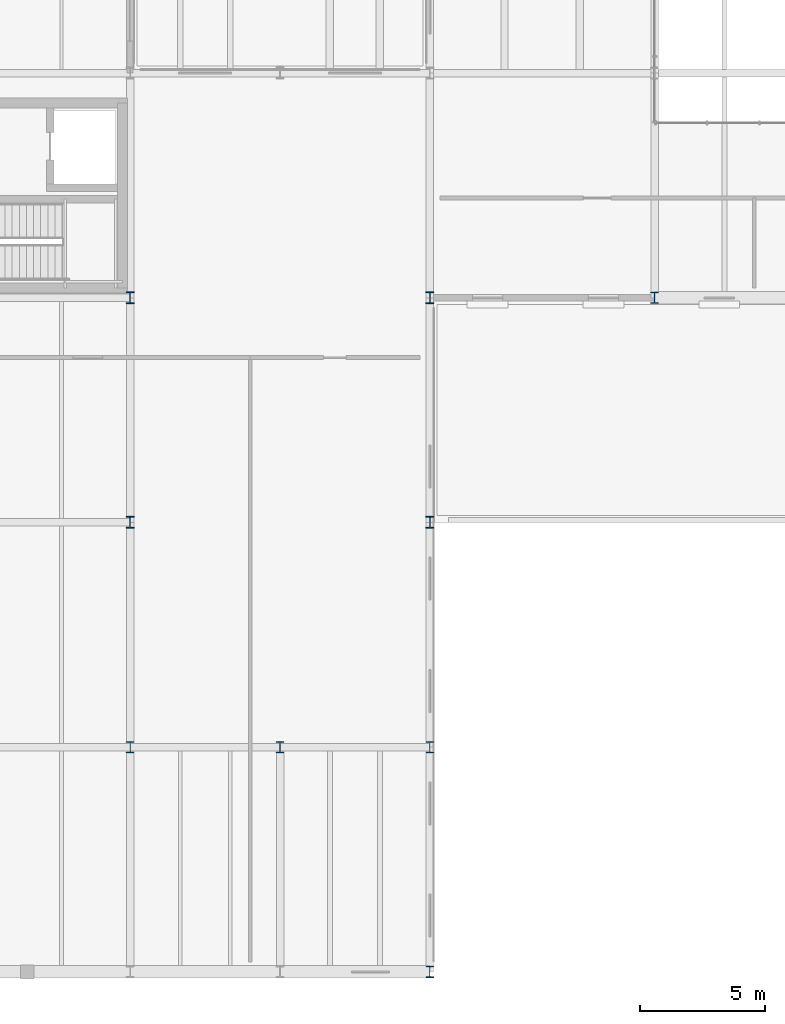
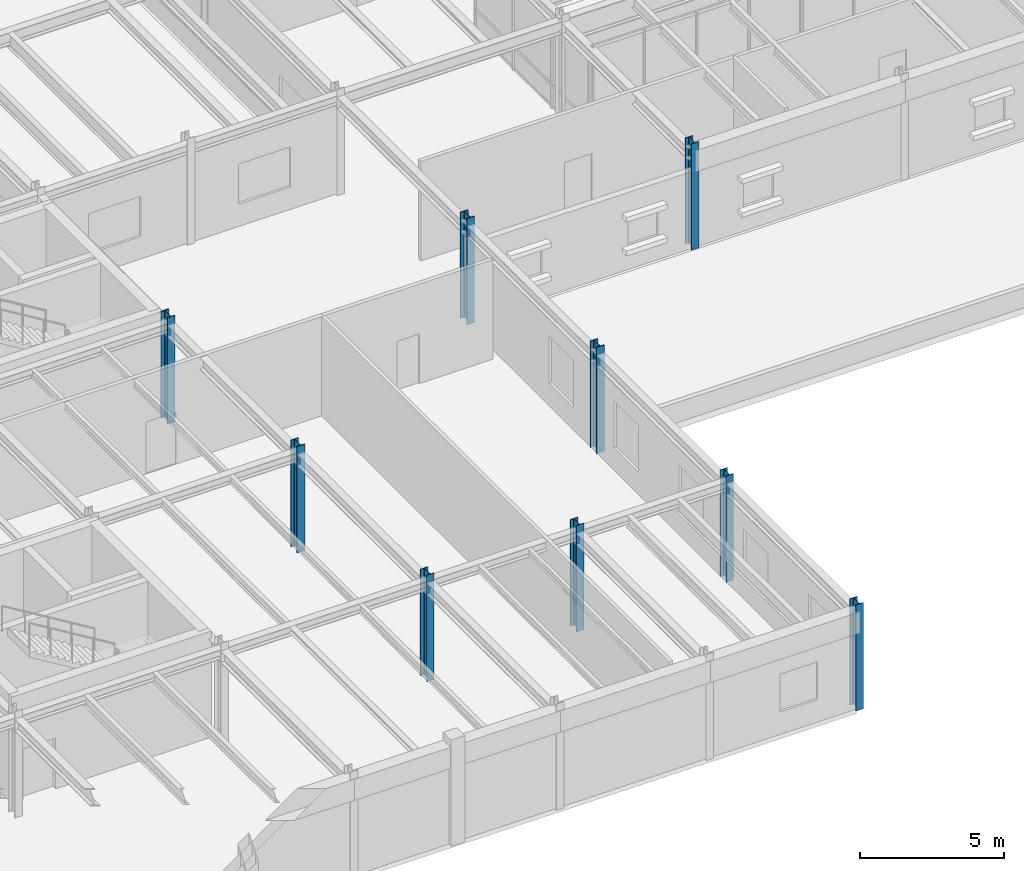
# One storey, part 5 of 64: 9 columns.
"""IFC4 building model written with IfcOpenShell, lengths in metres."""

from ifc_helpers import new_model, si_unit, direction, frame, origin, origin_2d, place, context, subcontext, project, spatial, i_section, extrude, material, material_profile, profile_set, type_object, element, save


model = new_model("IFC4")

# Units and contexts
model_context = context("Model", 3, precision=1e-05, world=origin(), true_north=direction((0.0, 1.0)))
body_context = subcontext(model_context, "Body", "Model", "MODEL_VIEW")
ifc_project = project(units=[si_unit("LENGTHUNIT", "METRE"), si_unit("AREAUNIT", "SQUARE_METRE"), si_unit("VOLUMEUNIT", "CUBIC_METRE"), si_unit("PLANEANGLEUNIT", "RADIAN"), si_unit("MASSUNIT", "GRAM", prefix="KILO")], contexts=[model_context])

# Site, building, storey
site_placement = place(None, origin())
site = spatial("IfcSite", under=ifc_project, at=site_placement, CompositionType="ELEMENT")
building_placement = place(site_placement, origin())
building = spatial("IfcBuilding", under=site, at=building_placement, Name="Montealbar Specialist Clinic", CompositionType="ELEMENT")
storey_placement = place(building_placement, frame((0.0, 0.0, 5.10009765625)))
storey = spatial("IfcBuildingStorey", under=building, at=storey_placement, Name="L01", CompositionType="ELEMENT", Elevation=5.10009765625)

# Columns
ifc_material = material(Name="Steel S355", Category="steel")
ifc_material_profile_1 = material_profile(ifc_material, i_section(OverallWidth=0.306884765625, OverallDepth=0.47802734375, WebThickness=0.02099609375, FlangeThickness=0.0400390625, FilletRadius=0.027099609375, at=origin_2d()), Name="HEM 450", Category="steel")
ifc_profile_set_1 = profile_set([ifc_material_profile_1], Name="Steel S355")
column_type_1 = type_object("IfcColumnType", Name="COL-S-L01-MEGA", PredefinedType="COLUMN", material=ifc_profile_set_1)
for number, where, z_axis, x_axis, name in (
    (1, (99.0, 18.0, 0.0), (0.0, 0.0, 1.0), (1.0, 0.0, 0.0), "Column 13/C L01"),
    (2, (99.0, 27.0, 0.0), (0.0, 0.0, 1.0), (1.0, 0.0, 0.0), "Column 13/D L01"),
):
    element("IfcColumn", number, at=place(storey_placement, frame(where, z_axis=z_axis, x_axis=x_axis)), inside=storey, type_object=column_type_1, Name=name, PredefinedType="COLUMN", context=body_context, shape_type="SweptSolid", body=[
        extrude(i_section(OverallWidth=0.306884765625, OverallDepth=0.47802734375, WebThickness=0.02099609375, FlangeThickness=0.0400390625, FilletRadius=0.027099609375, at=origin_2d()), origin(), (0.0, 0.0, 1.0), 4.5),
    ])
ifc_material_profile_2 = material_profile(ifc_material, i_section(OverallWidth=0.306884765625, OverallDepth=0.47802734375, WebThickness=0.02099609375, FlangeThickness=0.0400390625, FilletRadius=0.027099609375, at=origin_2d()), Name="HEM 450", Category="steel")
ifc_profile_set_2 = profile_set([ifc_material_profile_2], Name="Steel S355")
column_type_2 = type_object("IfcColumnType", Name="COL-S-L01-MEGA-EXT", PredefinedType="COLUMN", material=ifc_profile_set_2)
for number, where, z_axis, x_axis, name in (
    (3, (111.0, 18.0, 0.0), (0.0, 0.0, 1.0), (1.0, 0.0, 0.0), "Column 15/C L01"),
    (4, (111.0, 27.0, 0.0), (0.0, 0.0, 1.0), (1.0, 0.0, 0.0), "Column 15/D L01"),
):
    element("IfcColumn", number, at=place(storey_placement, frame(where, z_axis=z_axis, x_axis=x_axis)), inside=storey, type_object=column_type_2, Name=name, PredefinedType="COLUMN", context=body_context, shape_type="SweptSolid", body=[
        extrude(i_section(OverallWidth=0.306884765625, OverallDepth=0.47802734375, WebThickness=0.02099609375, FlangeThickness=0.0400390625, FilletRadius=0.027099609375, at=origin_2d()), origin(), (0.0, 0.0, 1.0), 4.5),
    ])
ifc_material_profile_3 = material_profile(ifc_material, i_section(OverallWidth=0.300048828125, OverallDepth=0.449951171875, WebThickness=0.013916015625, FlangeThickness=0.02587890625, FilletRadius=0.027099609375, at=origin_2d()), Name="HEB 450", Category="steel")
ifc_profile_set_3 = profile_set([ifc_material_profile_3], Name="Steel S355")
column_type_3 = type_object("IfcColumnType", Name="COL-S-L01-STD", PredefinedType="COLUMN", material=ifc_profile_set_3)
for number, where, z_axis, x_axis, name in (
    (5, (99.0, 9.0, 0.0), (0.0, 0.0, 1.0), (1.0, 0.0, 0.0), "Column 13/B L01"),
    (6, (105.0, 9.0, 0.0), (0.0, 0.0, 1.0), (1.0, 0.0, 0.0), "Column 14/B L01"),
):
    element("IfcColumn", number, at=place(storey_placement, frame(where, z_axis=z_axis, x_axis=x_axis)), inside=storey, type_object=column_type_3, Name=name, PredefinedType="COLUMN", context=body_context, shape_type="SweptSolid", body=[
        extrude(i_section(OverallWidth=0.300048828125, OverallDepth=0.449951171875, WebThickness=0.013916015625, FlangeThickness=0.02587890625, FilletRadius=0.027099609375, at=origin_2d()), origin(), (0.0, 0.0, 1.0), 4.5),
    ])
ifc_material_profile_4 = material_profile(ifc_material, i_section(OverallWidth=0.300048828125, OverallDepth=0.449951171875, WebThickness=0.013916015625, FlangeThickness=0.02587890625, FilletRadius=0.027099609375, at=origin_2d()), Name="HEB 450", Category="steel")
ifc_profile_set_4 = profile_set([ifc_material_profile_4], Name="Steel S355")
column_type_4 = type_object("IfcColumnType", Name="COL-S-L01-STD-EXT", PredefinedType="COLUMN", material=ifc_profile_set_4)
for number, where, z_axis, x_axis, name in (
    (7, (111.0, 0.0, 0.0), (0.0, 0.0, 1.0), (1.0, 0.0, 0.0), "Column 15/A L01"),
    (8, (111.0, 9.0, 0.0), (0.0, 0.0, 1.0), (1.0, 0.0, 0.0), "Column 15/B L01"),
    (9, (120.0, 27.0, 0.0), (0.0, 0.0, 1.0), (1.0, 0.0, 0.0), "Column 16/D L01"),
):
    element("IfcColumn", number, at=place(storey_placement, frame(where, z_axis=z_axis, x_axis=x_axis)), inside=storey, type_object=column_type_4, Name=name, PredefinedType="COLUMN", context=body_context, shape_type="SweptSolid", body=[
        extrude(i_section(OverallWidth=0.300048828125, OverallDepth=0.449951171875, WebThickness=0.013916015625, FlangeThickness=0.02587890625, FilletRadius=0.027099609375, at=origin_2d()), origin(), (0.0, 0.0, 1.0), 4.5),
    ])

save(model, "model.ifc")
